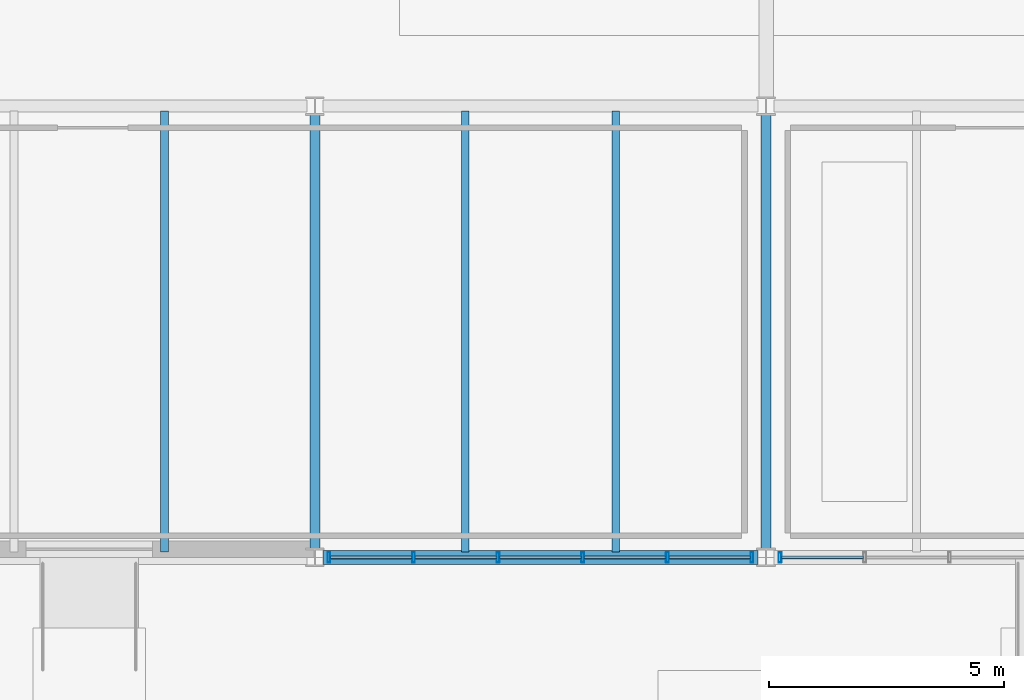
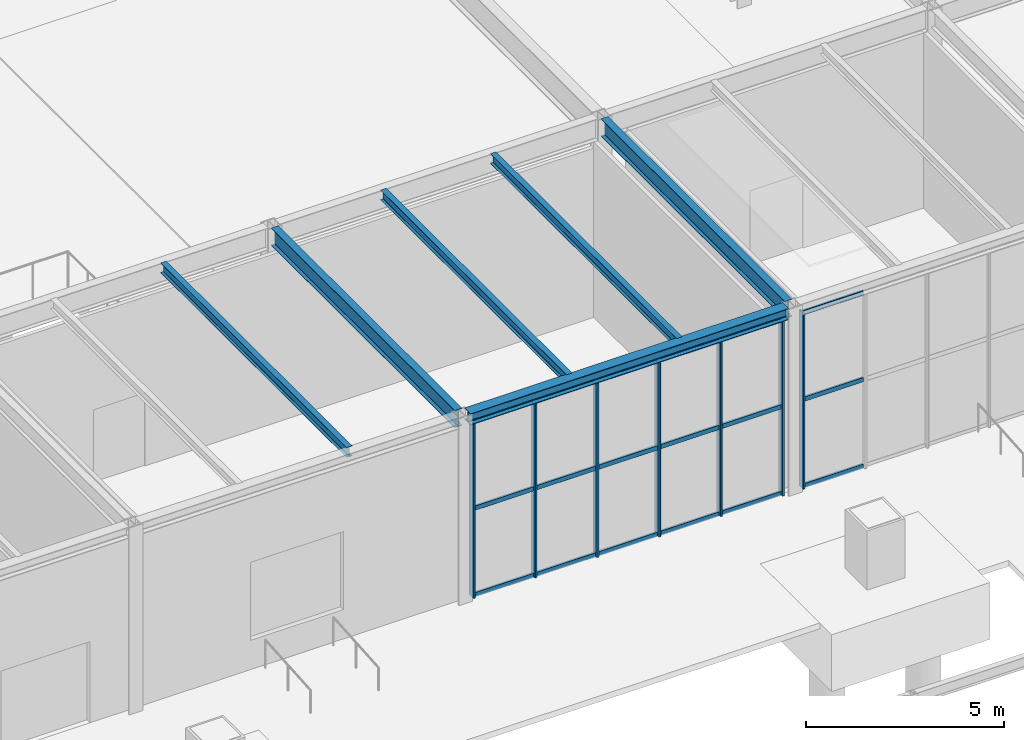
# One storey, part 68 of 142: 25 members, 6 beams, 2 elements without a shape of their own.
"""IFC4 building model written with IfcOpenShell, lengths in metres."""

from ifc_helpers import new_model, si_unit, direction, frame, origin, origin_2d, place, context, subcontext, project, spatial, hollow_rectangle, i_section, extrude, material, material_profile, profile_set, type_object, element, aggregate, save


model = new_model("IFC4")

# Units and contexts
model_context = context("Model", 3, precision=1e-05, world=origin(), true_north=direction((0.0, 1.0)))
body_context = subcontext(model_context, "Body", "Model", "MODEL_VIEW")
ifc_project = project(units=[si_unit("LENGTHUNIT", "METRE"), si_unit("AREAUNIT", "SQUARE_METRE"), si_unit("VOLUMEUNIT", "CUBIC_METRE"), si_unit("PLANEANGLEUNIT", "RADIAN"), si_unit("MASSUNIT", "GRAM", prefix="KILO")], contexts=[model_context])

# Site, building, storey
site_placement = place(None, origin())
site = spatial("IfcSite", under=ifc_project, at=site_placement, CompositionType="ELEMENT")
building_placement = place(site_placement, origin())
building = spatial("IfcBuilding", under=site, at=building_placement, Name="Coralgate Yard Interchange", CompositionType="ELEMENT")
storey_placement = place(building_placement, origin())
storey = spatial("IfcBuildingStorey", under=building, at=storey_placement, Name="L00", CompositionType="ELEMENT", Elevation=0.0)

# Beams
ifc_material_1 = material(Name="Structural steel S355J2", Category="steel")
ifc_material_profile_1 = material_profile(ifc_material_1, i_section(OverallWidth=0.209228515625, OverallDepth=0.533203125, WebThickness=0.010009765625, FlangeThickness=0.015625, FilletRadius=0.0126953125, at=origin_2d()), Name="UB 533x210x92")
ifc_profile_set_1 = profile_set([ifc_material_profile_1], Name="Structural steel S355J2")
beam_type_1 = type_object("IfcBeamType", Name="BM-SB-1", PredefinedType="BEAM", material=ifc_profile_set_1)
for number, where, z_axis, x_axis, name in (
    (1, (115.199951171875, 38.56689453125, 5.4833984375), (0.0, 1.0, 0.0), (-1.0, 0.0, 0.0), "L00 primary grid girder X12 Y4-5"),
    (2, (124.800048828125, 38.56689453125, 5.4833984375), (0.0, 1.0, 0.0), (-1.0, 0.0, 0.0), "L00 primary grid girder X13 Y4-5"),
):
    element("IfcBeam", number, at=place(storey_placement, frame(where, z_axis=z_axis, x_axis=x_axis)), inside=storey, type_object=beam_type_1, Name=name, PredefinedType="BEAM", context=body_context, shape_type="SweptSolid", body=[
        extrude(i_section(OverallWidth=0.209228515625, OverallDepth=0.533203125, WebThickness=0.010009765625, FlangeThickness=0.015625, FilletRadius=0.0126953125, at=origin_2d()), origin(), (0.0, 0.0, 1.0), 9.266357421875),
    ])
ifc_material_profile_2 = material_profile(ifc_material_1, i_section(OverallWidth=0.1650390625, OverallDepth=0.303466796875, WebThickness=0.006103515625, FlangeThickness=0.01025390625, FilletRadius=0.0087890625, at=origin_2d()), Name="UB 305x165x40")
ifc_profile_set_2 = profile_set([ifc_material_profile_2], Name="Structural steel S355J2")
beam_type_2 = type_object("IfcBeamType", Name="BM-SJ-1", PredefinedType="JOIST", material=ifc_profile_set_2)
for number, where, z_axis, x_axis, name in (
    (3, (112.0, 38.52001953125, 5.598388671875), (0.0, 1.0, 0.0), (-1.0, 0.0, 0.0), "L00 composite floor joist 11-4-2"),
    (4, (118.39990234375, 38.52001953125, 5.598388671875), (0.0, 1.0, 0.0), (-1.0, 0.0, 0.0), "L00 composite floor joist 12-4-1"),
    (5, (121.60009765625, 38.52001953125, 5.598388671875), (0.0, 1.0, 0.0), (-1.0, 0.0, 0.0), "L00 composite floor joist 12-4-2"),
):
    element("IfcBeam", number, at=place(storey_placement, frame(where, z_axis=z_axis, x_axis=x_axis)), inside=storey, type_object=beam_type_2, Name=name, PredefinedType="JOIST", context=body_context, shape_type="SweptSolid", body=[
        extrude(i_section(OverallWidth=0.1650390625, OverallDepth=0.303466796875, WebThickness=0.006103515625, FlangeThickness=0.01025390625, FilletRadius=0.0087890625, at=origin_2d()), origin(), (0.0, 0.0, 1.0), 9.383056640625),
    ])
ifc_material_profile_3 = material_profile(ifc_material_1, i_section(OverallWidth=0.300048828125, OverallDepth=0.35009765625, WebThickness=0.010009765625, FlangeThickness=0.017578125, FilletRadius=0.027099609375, at=origin_2d()), Name="HEA 360")
ifc_profile_set_3 = profile_set([ifc_material_profile_3], Name="Structural steel S355J2")
beam_type_3 = type_object("IfcBeamType", Name="BM-SP-1", PredefinedType="SPANDREL", material=ifc_profile_set_3)
beam_placement = place(storey_placement, frame((115.369384765625, 38.39990234375, 5.574951171875), z_axis=(1.0, 0.0, 0.0), x_axis=(0.0, 1.0, 0.0)))
element("IfcBeam", 6, at=beam_placement, inside=storey, type_object=beam_type_3, Name="L00 primary grid beam Y4 X12-13", PredefinedType="SPANDREL", context=body_context, shape_type="SweptSolid", body=[
    extrude(i_section(OverallWidth=0.300048828125, OverallDepth=0.35009765625, WebThickness=0.010009765625, FlangeThickness=0.017578125, FilletRadius=0.027099609375, at=origin_2d()), origin(), (0.0, 0.0, 1.0), 9.26123046875),
])

# Curtain wall, members
ifc_material_2 = material(Name="Anodised coastal aluminium and solar-control low-E glass", Category="aluminium")
curtain_wall_type = type_object("IfcCurtainWallType", Name="CW-CW-L00-A", PredefinedType="NOTDEFINED", material=ifc_material_2)
curtain_wall_1_placement = place(storey_placement, origin())
curtain_wall_1 = element("IfcCurtainWall", 7, at=curtain_wall_1_placement, inside=storey, type_object=curtain_wall_type, Name="L00 unitised curtain wall CW-L00-S-12-04", PredefinedType="NOTDEFINED")
ifc_material_3 = material(Name="Anodised coastal aluminium 6063-T6", Category="aluminium")
ifc_material_profile_4 = material_profile(ifc_material_3, hollow_rectangle(XDim=0.06005859375, YDim=0.219970703125, WallThickness=0.00390625, InnerFilletRadius=0.00390625, OuterFilletRadius=0.008056640625, at=origin_2d()), Name="ALU 60x220x4")
ifc_profile_set_4 = profile_set([ifc_material_profile_4], Name="Anodised coastal aluminium 6063-T6")
member_type_1 = type_object("IfcMemberType", Name="MB-MUL-220", PredefinedType="MULLION", material=ifc_profile_set_4)
member_1_placement = place(storey_placement, frame((124.5, 38.39990234375, 0.0), z_axis=(0.0, 0.0, 1.0), x_axis=(1.0, 0.0, 0.0)))
member_1 = element("IfcMember", 8, at=member_1_placement, type_object=member_type_1, Name="CW-L00-S-12-04 vertical mullion 1", PredefinedType="MULLION", context=body_context, shape_type="SweptSolid", body=[
    extrude(hollow_rectangle(XDim=0.06005859375, YDim=0.219970703125, WallThickness=0.00390625, InnerFilletRadius=0.00390625, OuterFilletRadius=0.008056640625, at=origin_2d()), origin(), (0.0, 0.0, 1.0), 5.39990234375),
])
member_2_placement = place(storey_placement, frame((122.699951171875, 38.39990234375, 0.0), z_axis=(0.0, 0.0, 1.0), x_axis=(1.0, 0.0, 0.0)))
member_2 = element("IfcMember", 9, at=member_2_placement, type_object=member_type_1, Name="CW-L00-S-12-04 vertical mullion 2", PredefinedType="MULLION", context=body_context, shape_type="SweptSolid", body=[
    extrude(hollow_rectangle(XDim=0.06005859375, YDim=0.219970703125, WallThickness=0.00390625, InnerFilletRadius=0.00390625, OuterFilletRadius=0.008056640625, at=origin_2d()), origin(), (0.0, 0.0, 1.0), 5.39990234375),
])
member_3_placement = place(storey_placement, frame((120.89990234375, 38.39990234375, 0.0), z_axis=(0.0, 0.0, 1.0), x_axis=(1.0, 0.0, 0.0)))
member_3 = element("IfcMember", 10, at=member_3_placement, type_object=member_type_1, Name="CW-L00-S-12-04 vertical mullion 3", PredefinedType="MULLION", context=body_context, shape_type="SweptSolid", body=[
    extrude(hollow_rectangle(XDim=0.06005859375, YDim=0.219970703125, WallThickness=0.00390625, InnerFilletRadius=0.00390625, OuterFilletRadius=0.008056640625, at=origin_2d()), origin(), (0.0, 0.0, 1.0), 5.39990234375),
])
member_4_placement = place(storey_placement, frame((119.10009765625, 38.39990234375, 0.0), z_axis=(0.0, 0.0, 1.0), x_axis=(1.0, 0.0, 0.0)))
member_4 = element("IfcMember", 11, at=member_4_placement, type_object=member_type_1, Name="CW-L00-S-12-04 vertical mullion 4", PredefinedType="MULLION", context=body_context, shape_type="SweptSolid", body=[
    extrude(hollow_rectangle(XDim=0.06005859375, YDim=0.219970703125, WallThickness=0.00390625, InnerFilletRadius=0.00390625, OuterFilletRadius=0.008056640625, at=origin_2d()), origin(), (0.0, 0.0, 1.0), 5.39990234375),
])
member_5_placement = place(storey_placement, frame((117.300048828125, 38.39990234375, 0.0), z_axis=(0.0, 0.0, 1.0), x_axis=(1.0, 0.0, 0.0)))
member_5 = element("IfcMember", 12, at=member_5_placement, type_object=member_type_1, Name="CW-L00-S-12-04 vertical mullion 5", PredefinedType="MULLION", context=body_context, shape_type="SweptSolid", body=[
    extrude(hollow_rectangle(XDim=0.06005859375, YDim=0.219970703125, WallThickness=0.00390625, InnerFilletRadius=0.00390625, OuterFilletRadius=0.008056640625, at=origin_2d()), origin(), (0.0, 0.0, 1.0), 5.39990234375),
])
member_6_placement = place(storey_placement, frame((115.5, 38.39990234375, 0.0), z_axis=(0.0, 0.0, 1.0), x_axis=(1.0, 0.0, 0.0)))
member_6 = element("IfcMember", 13, at=member_6_placement, type_object=member_type_1, Name="CW-L00-S-12-04 vertical mullion 6", PredefinedType="MULLION", context=body_context, shape_type="SweptSolid", body=[
    extrude(hollow_rectangle(XDim=0.06005859375, YDim=0.219970703125, WallThickness=0.00390625, InnerFilletRadius=0.00390625, OuterFilletRadius=0.008056640625, at=origin_2d()), origin(), (0.0, 0.0, 1.0), 5.39990234375),
])

# Curtain wall, member
curtain_wall_2_placement = place(storey_placement, origin())
curtain_wall_2 = element("IfcCurtainWall", 14, at=curtain_wall_2_placement, inside=storey, type_object=curtain_wall_type, Name="L00 unitised curtain wall CW-L00-S-13-04", PredefinedType="NOTDEFINED")
member_7_placement = place(storey_placement, frame((125.10009765625, 38.39990234375, 0.0), z_axis=(0.0, 0.0, 1.0), x_axis=(1.0, 0.0, 0.0)))
member_7 = element("IfcMember", 15, at=member_7_placement, type_object=member_type_1, Name="CW-L00-S-13-04 vertical mullion 6", PredefinedType="MULLION", context=body_context, shape_type="SweptSolid", body=[
    extrude(hollow_rectangle(XDim=0.06005859375, YDim=0.219970703125, WallThickness=0.00390625, InnerFilletRadius=0.00390625, OuterFilletRadius=0.008056640625, at=origin_2d()), origin(), (0.0, 0.0, 1.0), 5.39990234375),
])

# Member
ifc_material_profile_5 = material_profile(ifc_material_3, hollow_rectangle(XDim=0.06005859375, YDim=0.139892578125, WallThickness=0.00341796875, InnerFilletRadius=0.00341796875, OuterFilletRadius=0.007080078125, at=origin_2d()), Name="ALU 60x140x3.5")
ifc_profile_set_5 = profile_set([ifc_material_profile_5], Name="Anodised coastal aluminium 6063-T6")
member_type_2 = type_object("IfcMemberType", Name="MB-TRN-140", PredefinedType="USERDEFINED", material=ifc_profile_set_5)
member_8_placement = place(storey_placement, frame((124.469970703125, 38.39990234375, 0.034912109375), z_axis=(-1.0, 0.0, 0.0), x_axis=(0.0, -1.0, 0.0)))
member_8 = element("IfcMember", 16, at=member_8_placement, type_object=member_type_2, Name="CW-L00-S-12-04 horizontal transom 1-1", ObjectType="TRANSOM", PredefinedType="USERDEFINED", context=body_context, shape_type="SweptSolid", body=[
    extrude(hollow_rectangle(XDim=0.06005859375, YDim=0.139892578125, WallThickness=0.00341796875, InnerFilletRadius=0.00341796875, OuterFilletRadius=0.007080078125, at=origin_2d()), origin(), (0.0, 0.0, 1.0), 1.739990234375),
])

member_9_placement = place(storey_placement, frame((124.469970703125, 38.39990234375, 2.699951171875), z_axis=(-1.0, 0.0, 0.0), x_axis=(0.0, -1.0, 0.0)))
member_9 = element("IfcMember", 17, at=member_9_placement, type_object=member_type_2, Name="CW-L00-S-12-04 horizontal transom 1-2", ObjectType="TRANSOM", PredefinedType="USERDEFINED", context=body_context, shape_type="SweptSolid", body=[
    extrude(hollow_rectangle(XDim=0.06005859375, YDim=0.139892578125, WallThickness=0.00341796875, InnerFilletRadius=0.00341796875, OuterFilletRadius=0.007080078125, at=origin_2d()), origin(), (0.0, 0.0, 1.0), 1.739990234375),
])

member_10_placement = place(storey_placement, frame((124.469970703125, 38.39990234375, 5.364990234375), z_axis=(-1.0, 0.0, 0.0), x_axis=(0.0, -1.0, 0.0)))
member_10 = element("IfcMember", 18, at=member_10_placement, type_object=member_type_2, Name="CW-L00-S-12-04 horizontal transom 1-3", ObjectType="TRANSOM", PredefinedType="USERDEFINED", context=body_context, shape_type="SweptSolid", body=[
    extrude(hollow_rectangle(XDim=0.06005859375, YDim=0.139892578125, WallThickness=0.00341796875, InnerFilletRadius=0.00341796875, OuterFilletRadius=0.007080078125, at=origin_2d()), origin(), (0.0, 0.0, 1.0), 1.739990234375),
])

member_11_placement = place(storey_placement, frame((122.669921875, 38.39990234375, 0.034912109375), z_axis=(-1.0, 0.0, 0.0), x_axis=(0.0, -1.0, 0.0)))
member_11 = element("IfcMember", 19, at=member_11_placement, type_object=member_type_2, Name="CW-L00-S-12-04 horizontal transom 2-1", ObjectType="TRANSOM", PredefinedType="USERDEFINED", context=body_context, shape_type="SweptSolid", body=[
    extrude(hollow_rectangle(XDim=0.06005859375, YDim=0.139892578125, WallThickness=0.00341796875, InnerFilletRadius=0.00341796875, OuterFilletRadius=0.007080078125, at=origin_2d()), origin(), (0.0, 0.0, 1.0), 1.739990234375),
])

member_12_placement = place(storey_placement, frame((122.669921875, 38.39990234375, 2.699951171875), z_axis=(-1.0, 0.0, 0.0), x_axis=(0.0, -1.0, 0.0)))
member_12 = element("IfcMember", 20, at=member_12_placement, type_object=member_type_2, Name="CW-L00-S-12-04 horizontal transom 2-2", ObjectType="TRANSOM", PredefinedType="USERDEFINED", context=body_context, shape_type="SweptSolid", body=[
    extrude(hollow_rectangle(XDim=0.06005859375, YDim=0.139892578125, WallThickness=0.00341796875, InnerFilletRadius=0.00341796875, OuterFilletRadius=0.007080078125, at=origin_2d()), origin(), (0.0, 0.0, 1.0), 1.739990234375),
])

member_13_placement = place(storey_placement, frame((122.669921875, 38.39990234375, 5.364990234375), z_axis=(-1.0, 0.0, 0.0), x_axis=(0.0, -1.0, 0.0)))
member_13 = element("IfcMember", 21, at=member_13_placement, type_object=member_type_2, Name="CW-L00-S-12-04 horizontal transom 2-3", ObjectType="TRANSOM", PredefinedType="USERDEFINED", context=body_context, shape_type="SweptSolid", body=[
    extrude(hollow_rectangle(XDim=0.06005859375, YDim=0.139892578125, WallThickness=0.00341796875, InnerFilletRadius=0.00341796875, OuterFilletRadius=0.007080078125, at=origin_2d()), origin(), (0.0, 0.0, 1.0), 1.739990234375),
])

member_14_placement = place(storey_placement, frame((120.8701171875, 38.39990234375, 0.034912109375), z_axis=(-1.0, 0.0, 0.0), x_axis=(0.0, -1.0, 0.0)))
member_14 = element("IfcMember", 22, at=member_14_placement, type_object=member_type_2, Name="CW-L00-S-12-04 horizontal transom 3-1", ObjectType="TRANSOM", PredefinedType="USERDEFINED", context=body_context, shape_type="SweptSolid", body=[
    extrude(hollow_rectangle(XDim=0.06005859375, YDim=0.139892578125, WallThickness=0.00341796875, InnerFilletRadius=0.00341796875, OuterFilletRadius=0.007080078125, at=origin_2d()), origin(), (0.0, 0.0, 1.0), 1.740234375),
])

member_15_placement = place(storey_placement, frame((120.8701171875, 38.39990234375, 2.699951171875), z_axis=(-1.0, 0.0, 0.0), x_axis=(0.0, -1.0, 0.0)))
member_15 = element("IfcMember", 23, at=member_15_placement, type_object=member_type_2, Name="CW-L00-S-12-04 horizontal transom 3-2", ObjectType="TRANSOM", PredefinedType="USERDEFINED", context=body_context, shape_type="SweptSolid", body=[
    extrude(hollow_rectangle(XDim=0.06005859375, YDim=0.139892578125, WallThickness=0.00341796875, InnerFilletRadius=0.00341796875, OuterFilletRadius=0.007080078125, at=origin_2d()), origin(), (0.0, 0.0, 1.0), 1.740234375),
])

member_16_placement = place(storey_placement, frame((120.8701171875, 38.39990234375, 5.364990234375), z_axis=(-1.0, 0.0, 0.0), x_axis=(0.0, -1.0, 0.0)))
member_16 = element("IfcMember", 24, at=member_16_placement, type_object=member_type_2, Name="CW-L00-S-12-04 horizontal transom 3-3", ObjectType="TRANSOM", PredefinedType="USERDEFINED", context=body_context, shape_type="SweptSolid", body=[
    extrude(hollow_rectangle(XDim=0.06005859375, YDim=0.139892578125, WallThickness=0.00341796875, InnerFilletRadius=0.00341796875, OuterFilletRadius=0.007080078125, at=origin_2d()), origin(), (0.0, 0.0, 1.0), 1.740234375),
])

member_17_placement = place(storey_placement, frame((119.070068359375, 38.39990234375, 0.034912109375), z_axis=(-1.0, 0.0, 0.0), x_axis=(0.0, -1.0, 0.0)))
member_17 = element("IfcMember", 25, at=member_17_placement, type_object=member_type_2, Name="CW-L00-S-12-04 horizontal transom 4-1", ObjectType="TRANSOM", PredefinedType="USERDEFINED", context=body_context, shape_type="SweptSolid", body=[
    extrude(hollow_rectangle(XDim=0.06005859375, YDim=0.139892578125, WallThickness=0.00341796875, InnerFilletRadius=0.00341796875, OuterFilletRadius=0.007080078125, at=origin_2d()), origin(), (0.0, 0.0, 1.0), 1.739990234375),
])

member_18_placement = place(storey_placement, frame((119.070068359375, 38.39990234375, 2.699951171875), z_axis=(-1.0, 0.0, 0.0), x_axis=(0.0, -1.0, 0.0)))
member_18 = element("IfcMember", 26, at=member_18_placement, type_object=member_type_2, Name="CW-L00-S-12-04 horizontal transom 4-2", ObjectType="TRANSOM", PredefinedType="USERDEFINED", context=body_context, shape_type="SweptSolid", body=[
    extrude(hollow_rectangle(XDim=0.06005859375, YDim=0.139892578125, WallThickness=0.00341796875, InnerFilletRadius=0.00341796875, OuterFilletRadius=0.007080078125, at=origin_2d()), origin(), (0.0, 0.0, 1.0), 1.739990234375),
])

member_19_placement = place(storey_placement, frame((119.070068359375, 38.39990234375, 5.364990234375), z_axis=(-1.0, 0.0, 0.0), x_axis=(0.0, -1.0, 0.0)))
member_19 = element("IfcMember", 27, at=member_19_placement, type_object=member_type_2, Name="CW-L00-S-12-04 horizontal transom 4-3", ObjectType="TRANSOM", PredefinedType="USERDEFINED", context=body_context, shape_type="SweptSolid", body=[
    extrude(hollow_rectangle(XDim=0.06005859375, YDim=0.139892578125, WallThickness=0.00341796875, InnerFilletRadius=0.00341796875, OuterFilletRadius=0.007080078125, at=origin_2d()), origin(), (0.0, 0.0, 1.0), 1.739990234375),
])

member_20_placement = place(storey_placement, frame((117.27001953125, 38.39990234375, 0.034912109375), z_axis=(-1.0, 0.0, 0.0), x_axis=(0.0, -1.0, 0.0)))
member_20 = element("IfcMember", 28, at=member_20_placement, type_object=member_type_2, Name="CW-L00-S-12-04 horizontal transom 5-1", ObjectType="TRANSOM", PredefinedType="USERDEFINED", context=body_context, shape_type="SweptSolid", body=[
    extrude(hollow_rectangle(XDim=0.06005859375, YDim=0.139892578125, WallThickness=0.00341796875, InnerFilletRadius=0.00341796875, OuterFilletRadius=0.007080078125, at=origin_2d()), origin(), (0.0, 0.0, 1.0), 1.739990234375),
])

member_21_placement = place(storey_placement, frame((117.27001953125, 38.39990234375, 2.699951171875), z_axis=(-1.0, 0.0, 0.0), x_axis=(0.0, -1.0, 0.0)))
member_21 = element("IfcMember", 29, at=member_21_placement, type_object=member_type_2, Name="CW-L00-S-12-04 horizontal transom 5-2", ObjectType="TRANSOM", PredefinedType="USERDEFINED", context=body_context, shape_type="SweptSolid", body=[
    extrude(hollow_rectangle(XDim=0.06005859375, YDim=0.139892578125, WallThickness=0.00341796875, InnerFilletRadius=0.00341796875, OuterFilletRadius=0.007080078125, at=origin_2d()), origin(), (0.0, 0.0, 1.0), 1.739990234375),
])

member_22_placement = place(storey_placement, frame((117.27001953125, 38.39990234375, 5.364990234375), z_axis=(-1.0, 0.0, 0.0), x_axis=(0.0, -1.0, 0.0)))
member_22 = element("IfcMember", 30, at=member_22_placement, type_object=member_type_2, Name="CW-L00-S-12-04 horizontal transom 5-3", ObjectType="TRANSOM", PredefinedType="USERDEFINED", context=body_context, shape_type="SweptSolid", body=[
    extrude(hollow_rectangle(XDim=0.06005859375, YDim=0.139892578125, WallThickness=0.00341796875, InnerFilletRadius=0.00341796875, OuterFilletRadius=0.007080078125, at=origin_2d()), origin(), (0.0, 0.0, 1.0), 1.739990234375),
])

aggregate(curtain_wall_1, [member_1, member_2, member_3, member_4, member_5, member_6, member_8, member_9, member_10, member_11, member_12, member_13, member_14, member_15, member_16, member_17, member_18, member_19, member_20, member_21, member_22])

member_23_placement = place(storey_placement, frame((126.8701171875, 38.39990234375, 0.034912109375), z_axis=(-1.0, 0.0, 0.0), x_axis=(0.0, -1.0, 0.0)))
member_23 = element("IfcMember", 31, at=member_23_placement, type_object=member_type_2, Name="CW-L00-S-13-04 horizontal transom 5-1", ObjectType="TRANSOM", PredefinedType="USERDEFINED", context=body_context, shape_type="SweptSolid", body=[
    extrude(hollow_rectangle(XDim=0.06005859375, YDim=0.139892578125, WallThickness=0.00341796875, InnerFilletRadius=0.00341796875, OuterFilletRadius=0.007080078125, at=origin_2d()), origin(), (0.0, 0.0, 1.0), 1.740234375),
])

member_24_placement = place(storey_placement, frame((126.8701171875, 38.39990234375, 2.699951171875), z_axis=(-1.0, 0.0, 0.0), x_axis=(0.0, -1.0, 0.0)))
member_24 = element("IfcMember", 32, at=member_24_placement, type_object=member_type_2, Name="CW-L00-S-13-04 horizontal transom 5-2", ObjectType="TRANSOM", PredefinedType="USERDEFINED", context=body_context, shape_type="SweptSolid", body=[
    extrude(hollow_rectangle(XDim=0.06005859375, YDim=0.139892578125, WallThickness=0.00341796875, InnerFilletRadius=0.00341796875, OuterFilletRadius=0.007080078125, at=origin_2d()), origin(), (0.0, 0.0, 1.0), 1.740234375),
])

member_25_placement = place(storey_placement, frame((126.8701171875, 38.39990234375, 5.364990234375), z_axis=(-1.0, 0.0, 0.0), x_axis=(0.0, -1.0, 0.0)))
member_25 = element("IfcMember", 33, at=member_25_placement, type_object=member_type_2, Name="CW-L00-S-13-04 horizontal transom 5-3", ObjectType="TRANSOM", PredefinedType="USERDEFINED", context=body_context, shape_type="SweptSolid", body=[
    extrude(hollow_rectangle(XDim=0.06005859375, YDim=0.139892578125, WallThickness=0.00341796875, InnerFilletRadius=0.00341796875, OuterFilletRadius=0.007080078125, at=origin_2d()), origin(), (0.0, 0.0, 1.0), 1.740234375),
])

aggregate(curtain_wall_2, [member_7, member_23, member_24, member_25])

save(model, "model.ifc")
